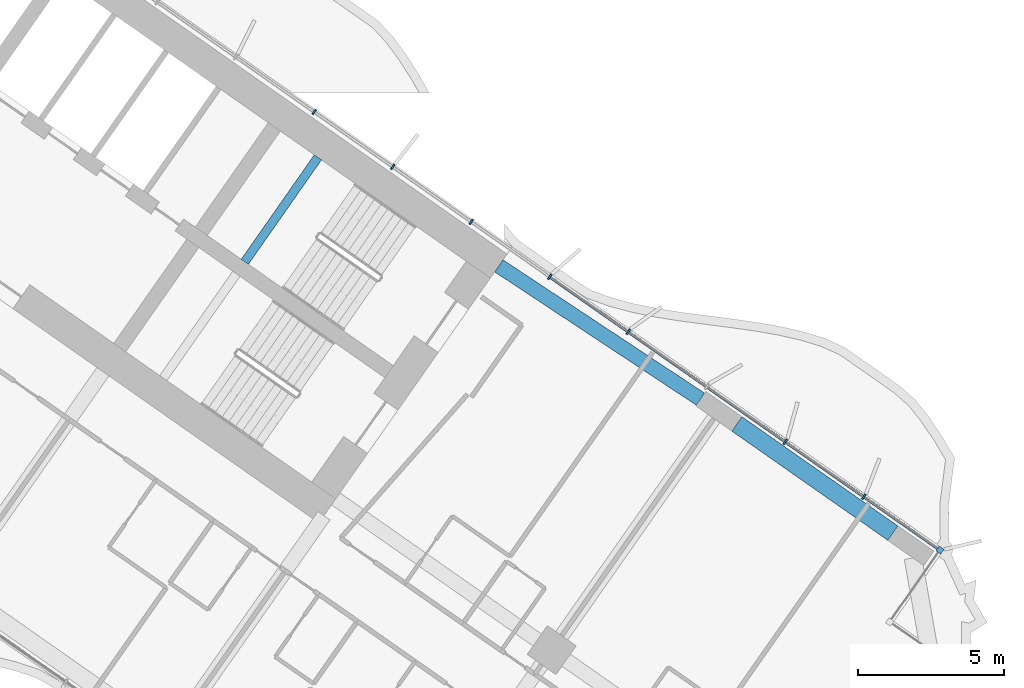
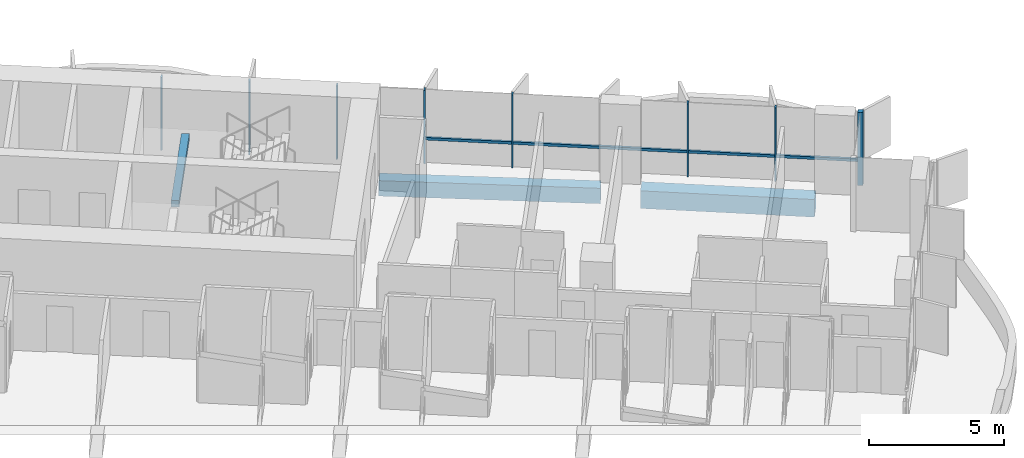
# One storey, part 10 of 25: 9 members, 3 beams, 2 elements without a shape of their own.
"""IFC4 building model written with IfcOpenShell, lengths in metres."""

from ifc_helpers import new_model, si_unit, direction, frame, origin, origin_2d, place, context, subcontext, project, spatial, rectangle, extrude, material, material_profile, profile_set, type_object, element, aggregate, save


model = new_model("IFC4")

# Units and contexts
model_context = context("Model", 3, precision=1e-05, world=origin(), true_north=direction((0.0, 1.0)))
body_context = subcontext(model_context, "Body", "Model", "MODEL_VIEW")
ifc_project = project(units=[si_unit("LENGTHUNIT", "METRE"), si_unit("AREAUNIT", "SQUARE_METRE"), si_unit("VOLUMEUNIT", "CUBIC_METRE"), si_unit("PLANEANGLEUNIT", "RADIAN"), si_unit("MASSUNIT", "GRAM", prefix="KILO")], contexts=[model_context])

# Site, building, storey
site_placement = place(None, origin())
site = spatial("IfcSite", under=ifc_project, at=site_placement, CompositionType="ELEMENT")
building_placement = place(site_placement, origin())
building = spatial("IfcBuilding", under=site, at=building_placement, Name="Tel Ilan Convention Tower", CompositionType="ELEMENT")
storey_placement = place(building_placement, frame((0.0, 0.0, 58.10009765625)))
storey = spatial("IfcBuildingStorey", under=building, at=storey_placement, Name="L09", CompositionType="ELEMENT", Elevation=58.10009765625)

# Beams
ifc_material_1 = material(Name="Concrete C40/50", Category="concrete")
ifc_material_profile_1 = material_profile(ifc_material_1, rectangle(XDim=0.5, YDim=0.699951171875, at=origin_2d()), Name="RC 500x700")
ifc_profile_set_1 = profile_set([ifc_material_profile_1], Name="Concrete C40/50")
beam_type_1 = type_object("IfcBeamType", Name="Beam RC 500x700 Concrete C40/50", PredefinedType="BEAM", material=ifc_profile_set_1)
beam_1_placement = place(storey_placement, frame((34.570556640625, -12.08447265625, -0.630126953125), z_axis=(-0.834273603487, 0.551350663847, 0.0), x_axis=(-0.551350663847, -0.834273603487, 0.0)))
element("IfcBeam", 1, at=beam_1_placement, inside=storey, type_object=beam_type_1, Name="L09 beam E-E-B4-core", PredefinedType="BEAM", context=body_context, shape_type="SweptSolid", body=[
    extrude(rectangle(XDim=0.5, YDim=0.699951171875, at=origin_2d()), origin(), (0.0, 0.0, 1.0), 8.2529296875),
])
ifc_material_2 = material(Name="Concrete C40/50", Category="concrete")
ifc_material_profile_2 = material_profile(ifc_material_2, rectangle(XDim=0.60009765625, YDim=0.800048828125, at=origin_2d()), Name="RC 600x800")
ifc_profile_set_2 = profile_set([ifc_material_profile_2], Name="Concrete C40/50")
beam_type_2 = type_object("IfcBeamType", Name="Beam RC 600x800 Concrete C40/50", PredefinedType="BEAM", material=ifc_profile_set_2)
beam_2_placement = place(storey_placement, frame((41.135498046875, -16.656494140625, -0.68017578125), z_axis=(-0.819178980414, 0.573537965655, 0.0), x_axis=(-0.573537965655, -0.819178980414, 0.0)))
element("IfcBeam", 2, at=beam_2_placement, inside=storey, type_object=beam_type_2, Name="L09 beam E-E-BC-E-B4", PredefinedType="BEAM", context=body_context, shape_type="SweptSolid", body=[
    extrude(rectangle(XDim=0.60009765625, YDim=0.800048828125, at=origin_2d()), origin(), (0.0, 0.0, 1.0), 6.5),
])

# Curtain wall, member
ifc_material_3 = material(Name="Aluminium, bronze anodised", Category="aluminium")
curtain_wall_type_1 = type_object("IfcCurtainWallType", Name="CW1 UNITISED CURTAIN WALL, HOTEL TINTED GLASS", PredefinedType="NOTDEFINED", material=ifc_material_3)
curtain_wall_1_placement = place(storey_placement, origin())
curtain_wall_1 = element("IfcCurtainWall", 3, at=curtain_wall_1_placement, inside=storey, type_object=curtain_wall_type_1, Name="Curtain wall CW1-11.02", PredefinedType="NOTDEFINED")
ifc_material_4 = material(Name="Aluminium, bronze anodised", Category="aluminium")
ifc_material_profile_3 = material_profile(ifc_material_4, rectangle(XDim=0.199951171875, YDim=0.199951171875, at=origin_2d()), Name="CW CORNER MULLION 200x200")
ifc_profile_set_3 = profile_set([ifc_material_profile_3], Name="Aluminium, bronze anodised")
member_type_1 = type_object("IfcMemberType", Name="CW CORNER MULLION 200x200", PredefinedType="MULLION", material=ifc_profile_set_3)
member_1_placement = place(storey_placement, frame((42.7451171875, -17.234375, 0.0), z_axis=(0.0, 0.0, 1.0), x_axis=(0.573576436351, 0.819152044289, 0.0)))
member_1 = element("IfcMember", 4, at=member_1_placement, type_object=member_type_1, Name="Corner mullion", PredefinedType="MULLION", context=body_context, shape_type="SweptSolid", body=[
    extrude(rectangle(XDim=0.199951171875, YDim=0.199951171875, at=origin_2d()), origin(), (0.0, 0.0, 1.0), 3.31982421875),
])

# Curtain wall, members
ifc_material_5 = material(Name="Aluminium, bronze anodised", Category="aluminium")
curtain_wall_type_2 = type_object("IfcCurtainWallType", Name="CW2 STICK CURTAIN WALL, SPANDREL PANELS", PredefinedType="NOTDEFINED", material=ifc_material_5)
curtain_wall_2_placement = place(storey_placement, origin())
curtain_wall_2 = element("IfcCurtainWall", 5, at=curtain_wall_2_placement, inside=storey, type_object=curtain_wall_type_2, Name="Curtain wall CW2-11.01", PredefinedType="NOTDEFINED")
ifc_material_6 = material(Name="Aluminium, bronze anodised", Category="aluminium")
ifc_material_profile_4 = material_profile(ifc_material_6, rectangle(XDim=0.06005859375, YDim=0.199951171875, at=origin_2d()), Name="CW MULLION 60x200")
ifc_profile_set_4 = profile_set([ifc_material_profile_4], Name="Aluminium, bronze anodised")
member_type_2 = type_object("IfcMemberType", Name="CW MULLION 60x200", PredefinedType="MULLION", material=ifc_profile_set_4)
member_2_placement = place(storey_placement, frame((29.42578125, -7.907958984375, 0.0), z_axis=(0.0, 0.0, 1.0), x_axis=(-0.819152044289, 0.573576436351, 0.0)))
member_2 = element("IfcMember", 6, at=member_2_placement, type_object=member_type_2, Name="Mullion", PredefinedType="MULLION", context=body_context, shape_type="SweptSolid", body=[
    extrude(rectangle(XDim=0.06005859375, YDim=0.199951171875, at=origin_2d()), origin(), (0.0, 0.0, 1.0), 3.31982421875),
])
member_3_placement = place(storey_placement, frame((26.745361328125, -6.03125, 0.0), z_axis=(0.0, 0.0, 1.0), x_axis=(-0.819152044289, 0.573576436351, 0.0)))
member_3 = element("IfcMember", 7, at=member_3_placement, type_object=member_type_2, Name="Mullion", PredefinedType="MULLION", context=body_context, shape_type="SweptSolid", body=[
    extrude(rectangle(XDim=0.06005859375, YDim=0.199951171875, at=origin_2d()), origin(), (0.0, 0.0, 1.0), 3.31982421875),
])
member_4_placement = place(storey_placement, frame((24.065185546875, -4.154541015625, 0.0), z_axis=(0.0, 0.0, 1.0), x_axis=(-0.819152044289, 0.573576436351, 0.0)))
member_4 = element("IfcMember", 8, at=member_4_placement, type_object=member_type_2, Name="Mullion", PredefinedType="MULLION", context=body_context, shape_type="SweptSolid", body=[
    extrude(rectangle(XDim=0.06005859375, YDim=0.199951171875, at=origin_2d()), origin(), (0.0, 0.0, 1.0), 3.31982421875),
])
member_5_placement = place(storey_placement, frame((21.384765625, -2.27783203125, 0.0), z_axis=(0.0, 0.0, 1.0), x_axis=(-0.819152044289, 0.573576436351, 0.0)))
member_5 = element("IfcMember", 9, at=member_5_placement, type_object=member_type_2, Name="Mullion", PredefinedType="MULLION", context=body_context, shape_type="SweptSolid", body=[
    extrude(rectangle(XDim=0.06005859375, YDim=0.199951171875, at=origin_2d()), origin(), (0.0, 0.0, 1.0), 3.31982421875),
])
aggregate(curtain_wall_2, [member_2, member_3, member_4, member_5])

# Member
member_6_placement = place(storey_placement, frame((40.146728515625, -15.4150390625, 0.0), z_axis=(0.0, 0.0, 1.0), x_axis=(-0.819152044289, 0.573576436351, 0.0)))
member_6 = element("IfcMember", 10, at=member_6_placement, type_object=member_type_2, Name="Mullion", PredefinedType="MULLION", context=body_context, shape_type="SweptSolid", body=[
    extrude(rectangle(XDim=0.06005859375, YDim=0.199951171875, at=origin_2d()), origin(), (0.0, 0.0, 1.0), 3.31982421875),
])

member_7_placement = place(storey_placement, frame((37.466552734375, -13.538330078125, 0.0), z_axis=(0.0, 0.0, 1.0), x_axis=(-0.819152044289, 0.573576436351, 0.0)))
member_7 = element("IfcMember", 11, at=member_7_placement, type_object=member_type_2, Name="Mullion", PredefinedType="MULLION", context=body_context, shape_type="SweptSolid", body=[
    extrude(rectangle(XDim=0.06005859375, YDim=0.199951171875, at=origin_2d()), origin(), (0.0, 0.0, 1.0), 3.31982421875),
])

member_8_placement = place(storey_placement, frame((32.10595703125, -9.78466796875, 0.0), z_axis=(0.0, 0.0, 1.0), x_axis=(-0.819152044289, 0.573576436351, 0.0)))
member_8 = element("IfcMember", 12, at=member_8_placement, type_object=member_type_2, Name="Mullion", PredefinedType="MULLION", context=body_context, shape_type="SweptSolid", body=[
    extrude(rectangle(XDim=0.06005859375, YDim=0.199951171875, at=origin_2d()), origin(), (0.0, 0.0, 1.0), 3.31982421875),
])

ifc_material_7 = material(Name="Aluminium, bronze anodised", Category="aluminium")
ifc_material_profile_5 = material_profile(ifc_material_7, rectangle(XDim=0.10009765625, YDim=0.1201171875, at=origin_2d()), Name="CW TRANSOM 100x120")
ifc_profile_set_5 = profile_set([ifc_material_profile_5], Name="Aluminium, bronze anodised")
member_type_3 = type_object("IfcMemberType", Name="CW TRANSOM 100x120", PredefinedType="USERDEFINED", material=ifc_profile_set_5)
member_9_placement = place(storey_placement, frame((42.6630859375, -17.177001953125, 1.099853515625), z_axis=(-0.819153693934, 0.573574080407, 0.0), x_axis=(-0.573574080407, -0.819153693934, 0.0)))
member_9 = element("IfcMember", 13, at=member_9_placement, type_object=member_type_3, Name="Transom", ObjectType="TRANSOM", PredefinedType="USERDEFINED", context=body_context, shape_type="SweptSolid", body=[
    extrude(rectangle(XDim=0.10009765625, YDim=0.1201171875, at=origin_2d()), origin(), (0.0, 0.0, 1.0), 16.1298828125),
])

aggregate(curtain_wall_1, [member_1, member_6, member_7, member_8, member_9])

# Beam
ifc_material_8 = material(Name="Concrete C40/50", Category="concrete")
ifc_material_profile_6 = material_profile(ifc_material_8, rectangle(XDim=0.300048828125, YDim=0.300048828125, at=origin_2d()), Name="RC 300x300")
ifc_profile_set_6 = profile_set([ifc_material_profile_6], Name="Concrete C40/50")
beam_type_3 = type_object("IfcBeamType", Name="Landing Beam RC 300x300 Concrete C40/50", PredefinedType="BEAM", material=ifc_profile_set_6)
beam_3_placement = place(storey_placement, frame((21.5087890625, -3.829345703125, 1.449951171875), z_axis=(-0.57356780395, -0.819158088694, 0.0), x_axis=(0.819158088694, -0.57356780395, 0.0)))
element("IfcBeam", 14, at=beam_3_placement, inside=storey, type_object=beam_type_3, Name="S3 landing beam L09.1", PredefinedType="BEAM", context=body_context, shape_type="SweptSolid", body=[
    extrude(rectangle(XDim=0.300048828125, YDim=0.300048828125, at=origin_2d()), origin(), (0.0, 0.0, 1.0), 4.35009765625),
])

save(model, "model.ifc")
